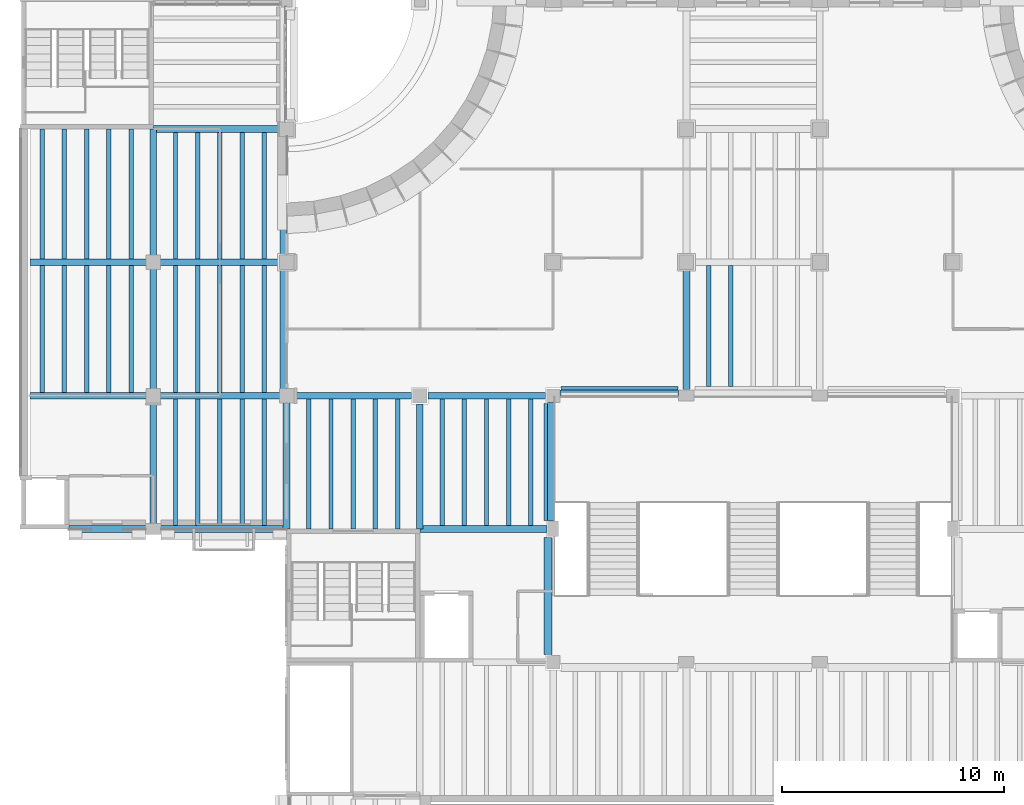
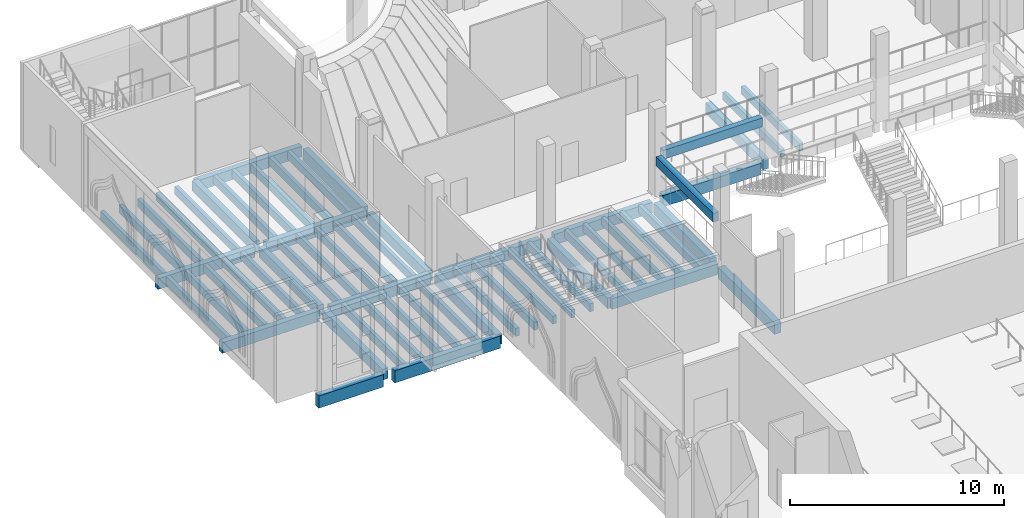
# One storey, part 24 of 80: 60 beams.
"""IFC4 building model written with IfcOpenShell, lengths in metres."""

from ifc_helpers import new_model, si_unit, direction, frame, origin, origin_2d, place, context, subcontext, project, spatial, rectangle, extrude, material, material_profile, profile_set, type_object, element, save


model = new_model("IFC4")

# Units and contexts
model_context = context("Model", 3, precision=1e-05, world=origin(), true_north=direction((0.0, 1.0)))
body_context = subcontext(model_context, "Body", "Model", "MODEL_VIEW")
ifc_project = project(units=[si_unit("LENGTHUNIT", "METRE"), si_unit("AREAUNIT", "SQUARE_METRE"), si_unit("VOLUMEUNIT", "CUBIC_METRE"), si_unit("PLANEANGLEUNIT", "RADIAN"), si_unit("MASSUNIT", "GRAM", prefix="KILO")], contexts=[model_context])

# Site, building, storey
site_placement = place(None, origin())
site = spatial("IfcSite", under=ifc_project, at=site_placement, CompositionType="ELEMENT")
building_placement = place(site_placement, origin())
building = spatial("IfcBuilding", under=site, at=building_placement, Name="Saffron Lane Theatres", CompositionType="ELEMENT")
storey_placement = place(building_placement, frame((0.0, 0.0, 7.0)))
storey = spatial("IfcBuildingStorey", under=building, at=storey_placement, Name="L01", CompositionType="ELEMENT", Elevation=7.0)

# Beams
ifc_material_1 = material(Name="Concrete N40 (40 MPa)", Category="concrete")
ifc_material_profile_1 = material_profile(ifc_material_1, rectangle(XDim=0.300048828125, YDim=0.60009765625, at=origin_2d()))
ifc_profile_set_1 = profile_set([ifc_material_profile_1], Name="Concrete N40 (40 MPa)")
beam_type_1 = type_object("IfcBeamType", Name="RC-BEAM 300x600", PredefinedType="BEAM", material=ifc_profile_set_1)
beam_1_placement = place(storey_placement, frame((18.0, 102.0, -0.550048828125), z_axis=(1.0, 0.0, 0.0), x_axis=(0.0, 1.0, 0.0)))
element("IfcBeam", 1, at=beam_1_placement, inside=storey, type_object=beam_type_1, Name="beam-L01-x1020-180", PredefinedType="BEAM", context=body_context, shape_type="SweptSolid", body=[
    extrude(rectangle(XDim=0.300048828125, YDim=0.60009765625, at=origin_2d()), origin(), (0.0, 0.0, 1.0), 5.72509765625),
])
beam_2_placement = place(storey_placement, frame((0.4599609375, 108.0, -0.550048828125), z_axis=(1.0, 0.0, 0.0), x_axis=(0.0, 1.0, 0.0)))
element("IfcBeam", 2, at=beam_2_placement, inside=storey, type_object=beam_type_1, Name="beam-L01-x1080-5", PredefinedType="BEAM", context=body_context, shape_type="SweptSolid", body=[
    extrude(rectangle(XDim=0.300048828125, YDim=0.60009765625, at=origin_2d()), origin(), (0.0, 0.0, 1.0), 5.239990234375),
])
beam_3_placement = place(storey_placement, frame((6.300048828125, 108.0, -0.550048828125), z_axis=(1.0, 0.0, 0.0), x_axis=(0.0, 1.0, 0.0)))
element("IfcBeam", 3, at=beam_3_placement, inside=storey, type_object=beam_type_1, Name="beam-L01-x1080-63", PredefinedType="BEAM", context=body_context, shape_type="SweptSolid", body=[
    extrude(rectangle(XDim=0.300048828125, YDim=0.60009765625, at=origin_2d()), origin(), (0.0, 0.0, 1.0), 5.39990234375),
])
beam_4_placement = place(storey_placement, frame((12.300048828125, 108.0, -0.64990234375), z_axis=(1.0, 0.0, 0.0), x_axis=(0.0, 1.0, 0.0)))
element("IfcBeam", 4, at=beam_4_placement, inside=storey, type_object=beam_type_1, Name="beam-L01-x1080-123", PredefinedType="BEAM", context=body_context, shape_type="SweptSolid", body=[
    extrude(rectangle(XDim=0.300048828125, YDim=0.60009765625, at=origin_2d()), origin(), (0.0, 0.0, 1.0), 5.324951171875),
])
beam_5_placement = place(storey_placement, frame((18.375, 108.0, -0.64990234375), z_axis=(1.0, 0.0, 0.0), x_axis=(0.0, 1.0, 0.0)))
element("IfcBeam", 5, at=beam_5_placement, inside=storey, type_object=beam_type_1, Name="beam-L01-x1080-184", PredefinedType="BEAM", context=body_context, shape_type="SweptSolid", body=[
    extrude(rectangle(XDim=0.300048828125, YDim=0.60009765625, at=origin_2d()), origin(), (0.0, 0.0, 1.0), 5.27490234375),
])
beam_6_placement = place(storey_placement, frame((0.4599609375, 114.0, -0.550048828125), z_axis=(1.0, 0.0, 0.0), x_axis=(0.0, 1.0, 0.0)))
element("IfcBeam", 6, at=beam_6_placement, inside=storey, type_object=beam_type_1, Name="beam-L01-x1140-5", PredefinedType="BEAM", context=body_context, shape_type="SweptSolid", body=[
    extrude(rectangle(XDim=0.300048828125, YDim=0.60009765625, at=origin_2d()), origin(), (0.0, 0.0, 1.0), 5.239990234375),
])
beam_7_placement = place(storey_placement, frame((6.300048828125, 114.0, -0.550048828125), z_axis=(1.0, 0.0, 0.0), x_axis=(0.0, 1.0, 0.0)))
element("IfcBeam", 7, at=beam_7_placement, inside=storey, type_object=beam_type_1, Name="beam-L01-x1140-63", PredefinedType="BEAM", context=body_context, shape_type="SweptSolid", body=[
    extrude(rectangle(XDim=0.300048828125, YDim=0.60009765625, at=origin_2d()), origin(), (0.0, 0.0, 1.0), 5.39990234375),
])
beam_8_placement = place(storey_placement, frame((6.0, 120.0, -0.550048828125), z_axis=(1.0, 0.0, 0.0), x_axis=(0.0, 1.0, 0.0)))
element("IfcBeam", 8, at=beam_8_placement, inside=storey, type_object=beam_type_1, Name="beam-L01-x1200-60", PredefinedType="BEAM", context=body_context, shape_type="SweptSolid", body=[
    extrude(rectangle(XDim=0.300048828125, YDim=0.60009765625, at=origin_2d()), origin(), (0.0, 0.0, 1.0), 5.699951171875),
])
for number, where, z_axis, x_axis, name in (
    (9, (6.0, 102.22509765625, -0.550048828125), (0.0, 1.0, 0.0), (-1.0, 0.0, 0.0), "beam-L01-y60-1022"),
    (10, (6.0, 108.22509765625, -0.550048828125), (0.0, 1.0, 0.0), (-1.0, 0.0, 0.0), "beam-L01-y60-1082"),
):
    element("IfcBeam", number, at=place(storey_placement, frame(where, z_axis=z_axis, x_axis=x_axis)), inside=storey, type_object=beam_type_1, Name=name, PredefinedType="BEAM", context=body_context, shape_type="SweptSolid", body=[
        extrude(rectangle(XDim=0.300048828125, YDim=0.60009765625, at=origin_2d()), origin(), (0.0, 0.0, 1.0), 5.5498046875),
    ])
for number, where, z_axis, x_axis, name in (
    (11, (6.0, 114.22509765625, -0.550048828125), (0.0, 1.0, 0.0), (-1.0, 0.0, 0.0), "beam-L01-y60-1142"),
    (12, (12.0, 102.0, -0.550048828125), (0.0, 1.0, 0.0), (-1.0, 0.0, 0.0), "beam-L01-y120-1020"),
):
    element("IfcBeam", number, at=place(storey_placement, frame(where, z_axis=z_axis, x_axis=x_axis)), inside=storey, type_object=beam_type_1, Name=name, PredefinedType="BEAM", context=body_context, shape_type="SweptSolid", body=[
        extrude(rectangle(XDim=0.300048828125, YDim=0.60009765625, at=origin_2d()), origin(), (0.0, 0.0, 1.0), 5.77490234375),
    ])
beam_9_placement = place(storey_placement, frame((11.85009765625, 108.22509765625, -0.64990234375), z_axis=(0.0, 1.0, 0.0), x_axis=(-1.0, 0.0, 0.0)))
element("IfcBeam", 13, at=beam_9_placement, inside=storey, type_object=beam_type_1, Name="beam-L01-y120-1082", PredefinedType="BEAM", context=body_context, shape_type="SweptSolid", body=[
    extrude(rectangle(XDim=0.300048828125, YDim=0.60009765625, at=origin_2d()), origin(), (0.0, 0.0, 1.0), 5.5498046875),
])
beam_10_placement = place(storey_placement, frame((18.0, 102.0, -0.550048828125), z_axis=(0.0, 1.0, 0.0), x_axis=(-1.0, 0.0, 0.0)))
element("IfcBeam", 14, at=beam_10_placement, inside=storey, type_object=beam_type_1, Name="beam-L01-y180-1020", PredefinedType="BEAM", context=body_context, shape_type="SweptSolid", body=[
    extrude(rectangle(XDim=0.300048828125, YDim=0.60009765625, at=origin_2d()), origin(), (0.0, 0.0, 1.0), 5.625),
])
beam_11_placement = place(storey_placement, frame((30.0, 108.27490234375, -0.64990234375), z_axis=(0.0, 1.0, 0.0), x_axis=(-1.0, 0.0, 0.0)))
element("IfcBeam", 15, at=beam_11_placement, inside=storey, type_object=beam_type_1, Name="beam-L01-y300-1083", PredefinedType="BEAM", context=body_context, shape_type="SweptSolid", body=[
    extrude(rectangle(XDim=0.300048828125, YDim=0.60009765625, at=origin_2d()), origin(), (0.0, 0.0, 1.0), 5.35009765625),
])
ifc_material_2 = material(Name="Concrete N40 (40 MPa)", Category="concrete")
ifc_material_profile_2 = material_profile(ifc_material_2, rectangle(XDim=0.300048828125, YDim=0.699951171875, at=origin_2d()))
ifc_profile_set_2 = profile_set([ifc_material_profile_2], Name="Concrete N40 (40 MPa)")
beam_type_2 = type_object("IfcBeamType", Name="RC-BEAM 300x700", PredefinedType="BEAM", material=ifc_profile_set_2)
beam_12_placement = place(storey_placement, frame((2.199951171875, 102.0, -0.60009765625), z_axis=(1.0, 0.0, 0.0), x_axis=(0.0, 1.0, 0.0)))
element("IfcBeam", 16, at=beam_12_placement, inside=storey, type_object=beam_type_2, Name="beam-L01-x1020-22", PredefinedType="BEAM", context=body_context, shape_type="SweptSolid", body=[
    extrude(rectangle(XDim=0.300048828125, YDim=0.699951171875, at=origin_2d()), origin(), (0.0, 0.0, 1.0), 3.5),
])
beam_13_placement = place(storey_placement, frame((6.300048828125, 102.0, -0.60009765625), z_axis=(1.0, 0.0, 0.0), x_axis=(0.0, 1.0, 0.0)))
element("IfcBeam", 17, at=beam_13_placement, inside=storey, type_object=beam_type_2, Name="beam-L01-x1020-63", PredefinedType="BEAM", context=body_context, shape_type="SweptSolid", body=[
    extrude(rectangle(XDim=0.300048828125, YDim=0.699951171875, at=origin_2d()), origin(), (0.0, 0.0, 1.0), 5.699951171875),
])
beam_14_placement = place(storey_placement, frame((11.85009765625, 114.22509765625, -0.699951171875), z_axis=(0.0, 1.0, 0.0), x_axis=(-1.0, 0.0, 0.0)))
element("IfcBeam", 18, at=beam_14_placement, inside=storey, type_object=beam_type_2, Name="beam-L01-y120-1142", PredefinedType="BEAM", context=body_context, shape_type="SweptSolid", body=[
    extrude(rectangle(XDim=0.300048828125, YDim=0.699951171875, at=origin_2d()), origin(), (0.0, 0.0, 1.0), 5.5498046875),
])
ifc_material_3 = material(Name="Concrete N40 (40 MPa)", Category="concrete")
ifc_material_profile_3 = material_profile(ifc_material_3, rectangle(XDim=0.35009765625, YDim=0.64990234375, at=origin_2d()))
ifc_profile_set_3 = profile_set([ifc_material_profile_3], Name="Concrete N40 (40 MPa)")
beam_type_3 = type_object("IfcBeamType", Name="RC-BEAM 350x650", PredefinedType="BEAM", material=ifc_profile_set_3)
for number, where, z_axis, x_axis, name in (
    (19, (24.35009765625, 108.235107421875, -0.675048828125), (1.0, 0.0, 0.0), (0.0, 1.0, 0.0), "beam-L01-x1080-244"),
    (20, (23.764892578125, 96.35009765625, -0.574951171875), (0.0, 1.0, 0.0), (-1.0, 0.0, 0.0), "beam-L01-y240-964"),
    (21, (23.764892578125, 102.375, -0.574951171875), (0.0, 1.0, 0.0), (-1.0, 0.0, 0.0), "beam-L01-y240-1024"),
):
    element("IfcBeam", number, at=place(storey_placement, frame(where, z_axis=z_axis, x_axis=x_axis)), inside=storey, type_object=beam_type_3, Name=name, PredefinedType="BEAM", context=body_context, shape_type="SweptSolid", body=[
        extrude(rectangle(XDim=0.35009765625, YDim=0.64990234375, at=origin_2d()), origin(), (0.0, 0.0, 1.0), 5.27490234375),
    ])
ifc_material_4 = material(Name="Concrete N40 (40 MPa)", Category="concrete")
ifc_material_profile_4 = material_profile(ifc_material_4, rectangle(XDim=0.199951171875, YDim=0.449951171875, at=origin_2d()))
ifc_profile_set_4 = profile_set([ifc_material_profile_4], Name="Concrete N40 (40 MPa)")
beam_type_4 = type_object("IfcBeamType", Name="RC-JOIST 200x450", PredefinedType="JOIST", material=ifc_profile_set_4)
for number, where, z_axis, x_axis, name in (
    (22, (1.0, 108.14990234375, -0.47509765625), (0.0, 1.0, 0.0), (-1.0, 0.0, 0.0), "joist-L01-y100-1082"),
    (23, (2.0, 108.14990234375, -0.47509765625), (0.0, 1.0, 0.0), (-1.0, 0.0, 0.0), "joist-L01-y200-1082"),
    (24, (3.0, 108.14990234375, -0.47509765625), (0.0, 1.0, 0.0), (-1.0, 0.0, 0.0), "joist-L01-y300-1082"),
    (25, (4.0, 108.14990234375, -0.47509765625), (0.0, 1.0, 0.0), (-1.0, 0.0, 0.0), "joist-L01-y400-1082"),
    (26, (5.0, 108.14990234375, -0.47509765625), (0.0, 1.0, 0.0), (-1.0, 0.0, 0.0), "joist-L01-y500-1082"),
):
    element("IfcBeam", number, at=place(storey_placement, frame(where, z_axis=z_axis, x_axis=x_axis)), inside=storey, type_object=beam_type_4, Name=name, PredefinedType="JOIST", context=body_context, shape_type="SweptSolid", body=[
        extrude(rectangle(XDim=0.199951171875, YDim=0.449951171875, at=origin_2d()), origin(), (0.0, 0.0, 1.0), 5.7001953125),
    ])
for number, where, z_axis, x_axis, name in (
    (27, (1.0, 114.14990234375, -0.47509765625), (0.0, 1.0, 0.0), (-1.0, 0.0, 0.0), "joist-L01-y100-1142"),
    (28, (2.0, 114.14990234375, -0.47509765625), (0.0, 1.0, 0.0), (-1.0, 0.0, 0.0), "joist-L01-y200-1142"),
    (29, (3.0, 114.14990234375, -0.47509765625), (0.0, 1.0, 0.0), (-1.0, 0.0, 0.0), "joist-L01-y300-1142"),
    (30, (4.0, 114.14990234375, -0.47509765625), (0.0, 1.0, 0.0), (-1.0, 0.0, 0.0), "joist-L01-y400-1142"),
    (31, (5.0, 114.14990234375, -0.47509765625), (0.0, 1.0, 0.0), (-1.0, 0.0, 0.0), "joist-L01-y500-1142"),
):
    element("IfcBeam", number, at=place(storey_placement, frame(where, z_axis=z_axis, x_axis=x_axis)), inside=storey, type_object=beam_type_4, Name=name, PredefinedType="JOIST", context=body_context, shape_type="SweptSolid", body=[
        extrude(rectangle(XDim=0.199951171875, YDim=0.449951171875, at=origin_2d()), origin(), (0.0, 0.0, 1.0), 5.85009765625),
    ])
for number, where, z_axis, x_axis, name in (
    (32, (7.0, 102.14990234375, -0.47509765625), (0.0, 1.0, 0.0), (-1.0, 0.0, 0.0), "joist-L01-y700-1022"),
    (33, (8.0, 102.14990234375, -0.47509765625), (0.0, 1.0, 0.0), (-1.0, 0.0, 0.0), "joist-L01-y800-1022"),
    (34, (9.0, 102.14990234375, -0.47509765625), (0.0, 1.0, 0.0), (-1.0, 0.0, 0.0), "joist-L01-y900-1022"),
    (35, (10.0, 102.14990234375, -0.47509765625), (0.0, 1.0, 0.0), (-1.0, 0.0, 0.0), "joist-L01-y1000-1022"),
    (36, (11.0, 102.14990234375, -0.47509765625), (0.0, 1.0, 0.0), (-1.0, 0.0, 0.0), "joist-L01-y1100-1022"),
    (37, (7.0, 108.14990234375, -0.47509765625), (0.0, 1.0, 0.0), (-1.0, 0.0, 0.0), "joist-L01-y700-1082"),
    (38, (8.0, 108.14990234375, -0.47509765625), (0.0, 1.0, 0.0), (-1.0, 0.0, 0.0), "joist-L01-y800-1082"),
    (39, (9.0, 108.14990234375, -0.47509765625), (0.0, 1.0, 0.0), (-1.0, 0.0, 0.0), "joist-L01-y900-1082"),
    (40, (10.0, 108.14990234375, -0.47509765625), (0.0, 1.0, 0.0), (-1.0, 0.0, 0.0), "joist-L01-y1000-1082"),
    (41, (11.0, 108.14990234375, -0.47509765625), (0.0, 1.0, 0.0), (-1.0, 0.0, 0.0), "joist-L01-y1100-1082"),
    (42, (7.0, 114.14990234375, -0.47509765625), (0.0, 1.0, 0.0), (-1.0, 0.0, 0.0), "joist-L01-y700-1142"),
    (43, (8.0, 114.14990234375, -0.47509765625), (0.0, 1.0, 0.0), (-1.0, 0.0, 0.0), "joist-L01-y800-1142"),
    (44, (9.0, 114.14990234375, -0.47509765625), (0.0, 1.0, 0.0), (-1.0, 0.0, 0.0), "joist-L01-y900-1142"),
    (45, (10.0, 114.14990234375, -0.47509765625), (0.0, 1.0, 0.0), (-1.0, 0.0, 0.0), "joist-L01-y1000-1142"),
    (46, (11.0, 114.14990234375, -0.47509765625), (0.0, 1.0, 0.0), (-1.0, 0.0, 0.0), "joist-L01-y1100-1142"),
):
    element("IfcBeam", number, at=place(storey_placement, frame(where, z_axis=z_axis, x_axis=x_axis)), inside=storey, type_object=beam_type_4, Name=name, PredefinedType="JOIST", context=body_context, shape_type="SweptSolid", body=[
        extrude(rectangle(XDim=0.199951171875, YDim=0.449951171875, at=origin_2d()), origin(), (0.0, 0.0, 1.0), 5.7001953125),
    ])
for number, where, z_axis, x_axis, name in (
    (47, (13.0, 102.0, -0.47509765625), (0.0, 1.0, 0.0), (-1.0, 0.0, 0.0), "joist-L01-y1300-1020"),
    (48, (14.0, 102.0, -0.47509765625), (0.0, 1.0, 0.0), (-1.0, 0.0, 0.0), "joist-L01-y1400-1020"),
    (49, (15.0, 102.0, -0.47509765625), (0.0, 1.0, 0.0), (-1.0, 0.0, 0.0), "joist-L01-y1500-1020"),
    (50, (16.0, 102.0, -0.47509765625), (0.0, 1.0, 0.0), (-1.0, 0.0, 0.0), "joist-L01-y1600-1020"),
    (51, (17.0, 102.0, -0.47509765625), (0.0, 1.0, 0.0), (-1.0, 0.0, 0.0), "joist-L01-y1700-1020"),
):
    element("IfcBeam", number, at=place(storey_placement, frame(where, z_axis=z_axis, x_axis=x_axis)), inside=storey, type_object=beam_type_4, Name=name, PredefinedType="JOIST", context=body_context, shape_type="SweptSolid", body=[
        extrude(rectangle(XDim=0.199951171875, YDim=0.449951171875, at=origin_2d()), origin(), (0.0, 0.0, 1.0), 5.85009765625),
    ])
for number, where, z_axis, x_axis, name in (
    (52, (19.0, 102.14990234375, -0.47509765625), (0.0, 1.0, 0.0), (-1.0, 0.0, 0.0), "joist-L01-y1900-1022"),
    (53, (20.0, 102.14990234375, -0.47509765625), (0.0, 1.0, 0.0), (-1.0, 0.0, 0.0), "joist-L01-y2000-1022"),
    (54, (21.0, 102.14990234375, -0.47509765625), (0.0, 1.0, 0.0), (-1.0, 0.0, 0.0), "joist-L01-y2100-1022"),
    (55, (22.0, 102.14990234375, -0.47509765625), (0.0, 1.0, 0.0), (-1.0, 0.0, 0.0), "joist-L01-y2200-1022"),
    (56, (23.0, 102.14990234375, -0.47509765625), (0.0, 1.0, 0.0), (-1.0, 0.0, 0.0), "joist-L01-y2300-1022"),
):
    element("IfcBeam", number, at=place(storey_placement, frame(where, z_axis=z_axis, x_axis=x_axis)), inside=storey, type_object=beam_type_4, Name=name, PredefinedType="JOIST", context=body_context, shape_type="SweptSolid", body=[
        extrude(rectangle(XDim=0.199951171875, YDim=0.449951171875, at=origin_2d()), origin(), (0.0, 0.0, 1.0), 5.7001953125),
    ])
for number, where, z_axis, x_axis, name in (
    (57, (31.0, 108.409912109375, -0.47509765625), (0.0, 1.0, 0.0), (-1.0, 0.0, 0.0), "joist-L01-y3100-1084"),
    (58, (32.0, 108.409912109375, -0.47509765625), (0.0, 1.0, 0.0), (-1.0, 0.0, 0.0), "joist-L01-y3200-1084"),
):
    element("IfcBeam", number, at=place(storey_placement, frame(where, z_axis=z_axis, x_axis=x_axis)), inside=storey, type_object=beam_type_4, Name=name, PredefinedType="JOIST", context=body_context, shape_type="SweptSolid", body=[
        extrude(rectangle(XDim=0.199951171875, YDim=0.449951171875, at=origin_2d()), origin(), (0.0, 0.0, 1.0), 5.440185546875),
    ])
ifc_material_5 = material(Name="Concrete N40 (40 MPa)", Category="concrete")
ifc_material_profile_5 = material_profile(ifc_material_5, rectangle(XDim=0.300048828125, YDim=0.5, at=origin_2d()))
ifc_profile_set_5 = profile_set([ifc_material_profile_5], Name="Concrete N40 (40 MPa)")
beam_type_5 = type_object("IfcBeamType", Name="VC-LANDING BEAM 300x500", PredefinedType="BEAM", material=ifc_profile_set_5)
for number, where, z_axis, x_axis, name in (
    (59, (23.89990234375, 102.35009765625, 2.050048828125), (0.0, 1.0, 0.0), (-1.0, 0.0, 0.0), "Landing beam 6"),
    (60, (24.300048828125, 108.10009765625, 2.050048828125), (1.0, 0.0, 0.0), (0.0, 1.0, 0.0), "Landing beam 8"),
):
    element("IfcBeam", number, at=place(storey_placement, frame(where, z_axis=z_axis, x_axis=x_axis)), inside=storey, type_object=beam_type_5, Name=name, PredefinedType="BEAM", context=body_context, shape_type="SweptSolid", body=[
        extrude(rectangle(XDim=0.300048828125, YDim=0.5, at=origin_2d()), origin(), (0.0, 0.0, 1.0), 5.349853515625),
    ])

save(model, "model.ifc")
